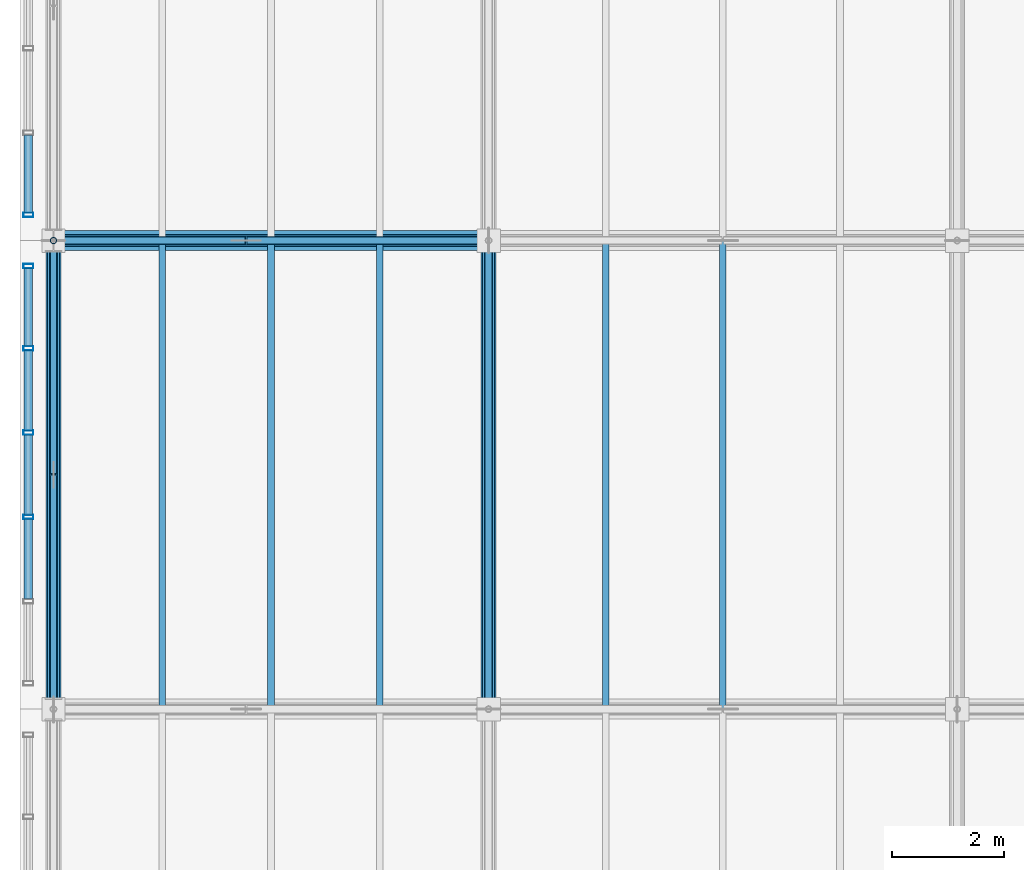
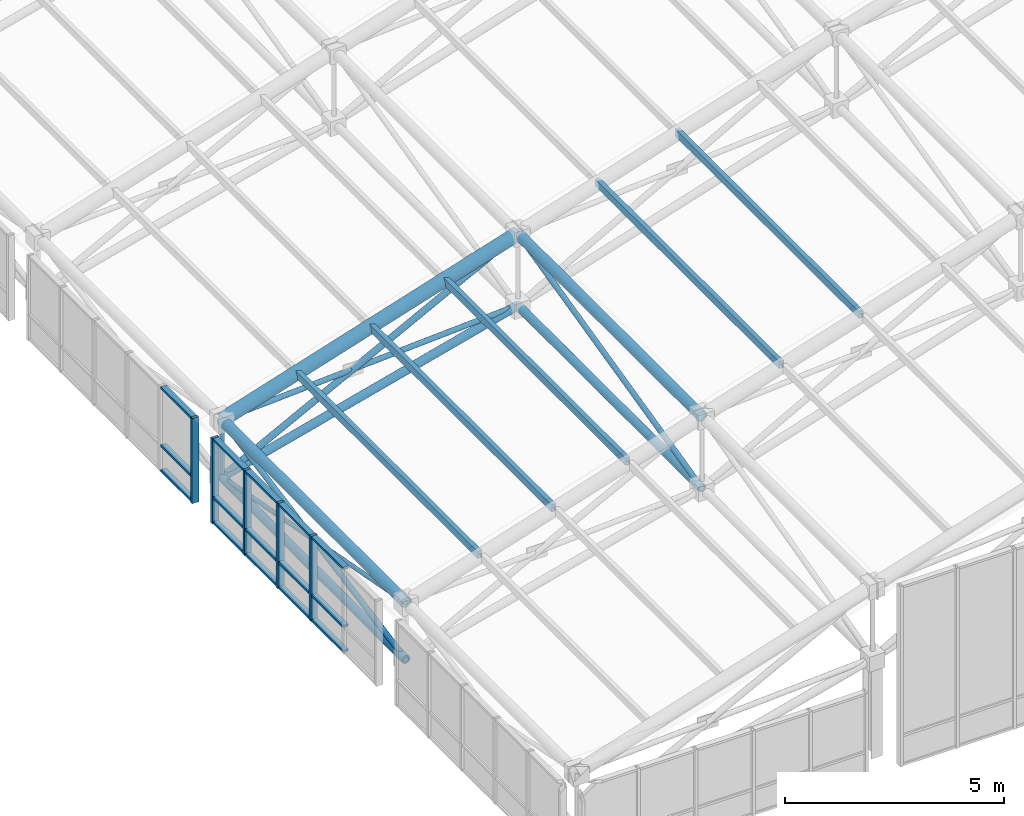
# One storey, part 31 of 144: 39 members, 2 elements without a shape of their own.
"""IFC4 building model written with IfcOpenShell, lengths in metres."""

from ifc_helpers import new_model, si_unit, direction, frame, origin, origin_2d, place, context, subcontext, project, spatial, hollow_rectangle, hollow_circle, extrude, material, layer, layer_set, material_profile, profile_set, type_object, element, aggregate, save


model = new_model("IFC4")

# Units and contexts
model_context = context("Model", 3, precision=1e-05, world=origin(), true_north=direction((0.0, 1.0)))
body_context = subcontext(model_context, "Body", "Model", "MODEL_VIEW")
ifc_project = project(units=[si_unit("LENGTHUNIT", "METRE"), si_unit("AREAUNIT", "SQUARE_METRE"), si_unit("VOLUMEUNIT", "CUBIC_METRE"), si_unit("PLANEANGLEUNIT", "RADIAN"), si_unit("MASSUNIT", "GRAM", prefix="KILO")], contexts=[model_context])

# Site, building, storey
site_placement = place(None, origin())
site = spatial("IfcSite", under=ifc_project, at=site_placement, CompositionType="ELEMENT")
building_placement = place(site_placement, origin())
building = spatial("IfcBuilding", under=site, at=building_placement, Name="Zayran Congress Hotel", CompositionType="ELEMENT")
storey_placement = place(building_placement, frame((0.0, 0.0, 19.199951171875)))
storey = spatial("IfcBuildingStorey", under=building, at=storey_placement, Name="L04", CompositionType="ELEMENT", Elevation=19.199951171875)

# Members
ifc_material_1 = material(Name="Steel S355", Category="steel")
ifc_material_profile_1 = material_profile(ifc_material_1, hollow_circle(Radius=0.177734375, WallThickness=0.01611328125, at=origin_2d()), Name="CHS 355.6x16")
ifc_profile_set_1 = profile_set([ifc_material_profile_1], Name="Steel S355")
member_type_1 = type_object("IfcMemberType", Name="TP-SF-TC1", PredefinedType="CHORD", material=ifc_profile_set_1)
member_1_placement = place(storey_placement, frame((9.0, 84.39990234375, 2.19140625), z_axis=(0.953669693314, 0.0, 0.300855639892), x_axis=(0.0, 1.0, 0.0)))
element("IfcMember", 1, at=member_1_placement, inside=storey, type_object=member_type_1, Name="Space Frame Top Chord X 19", PredefinedType="CHORD", context=body_context, shape_type="SweptSolid", body=[
    extrude(hollow_circle(Radius=0.177734375, WallThickness=0.01611328125, at=origin_2d()), origin(), (0.0, 0.0, 1.0), 8.178955078125),
])
ifc_material_profile_2 = material_profile(ifc_material_1, hollow_circle(Radius=0.136474609375, WallThickness=0.012451171875, at=origin_2d()), Name="CHS 273x12.5")
ifc_profile_set_2 = profile_set([ifc_material_profile_2], Name="Steel S355")
member_type_2 = type_object("IfcMemberType", Name="TP-SF-TC2", PredefinedType="CHORD", material=ifc_profile_set_2)
for number, where, z_axis, x_axis, name in (
    (2, (9.0, 76.0, 2.19140625), (0.0, 1.0, 0.0), (-1.0, 0.0, 0.0), "Space Frame Top Chord Y 14"),
    (3, (16.800048828125, 76.0, 4.652099609375), (0.0, 1.0, 0.0), (-1.0, 0.0, 0.0), "Space Frame Top Chord Y 72"),
):
    element("IfcMember", number, at=place(storey_placement, frame(where, z_axis=z_axis, x_axis=x_axis)), inside=storey, type_object=member_type_2, Name=name, PredefinedType="CHORD", context=body_context, shape_type="SweptSolid", body=[
        extrude(hollow_circle(Radius=0.136474609375, WallThickness=0.012451171875, at=origin_2d()), origin(), (0.0, 0.0, 1.0), 8.39990234375),
    ])
ifc_material_profile_3 = material_profile(ifc_material_1, hollow_circle(Radius=0.109619140625, WallThickness=0.010009765625, at=origin_2d()), Name="CHS 219.1x10")
ifc_profile_set_3 = profile_set([ifc_material_profile_3], Name="Steel S355")
member_type_3 = type_object("IfcMemberType", Name="TP-SF-BC1", PredefinedType="CHORD", material=ifc_profile_set_3)
member_2_placement = place(storey_placement, frame((9.0, 76.0, 0.60009765625), z_axis=(0.0, 1.0, 0.0), x_axis=(-1.0, 0.0, 0.0)))
element("IfcMember", 4, at=member_2_placement, inside=storey, type_object=member_type_3, Name="Space Frame Bottom Chord Y 15", PredefinedType="CHORD", context=body_context, shape_type="SweptSolid", body=[
    extrude(hollow_circle(Radius=0.109619140625, WallThickness=0.010009765625, at=origin_2d()), origin(), (0.0, 0.0, 1.0), 8.39990234375),
])
member_3_placement = place(storey_placement, frame((9.0, 84.39990234375, 0.60009765625), z_axis=(0.967153699015, 0.0, 0.254192294301), x_axis=(0.0, 1.0, 0.0)))
element("IfcMember", 5, at=member_3_placement, inside=storey, type_object=member_type_3, Name="Space Frame Bottom Chord X 20", PredefinedType="CHORD", context=body_context, shape_type="SweptSolid", body=[
    extrude(hollow_circle(Radius=0.109619140625, WallThickness=0.010009765625, at=origin_2d()), origin(), (0.0, 0.0, 1.0), 8.06494140625),
])
member_4_placement = place(storey_placement, frame((16.800048828125, 76.0, 2.650146484375), z_axis=(0.0, 1.0, 0.0), x_axis=(-1.0, 0.0, 0.0)))
element("IfcMember", 6, at=member_4_placement, inside=storey, type_object=member_type_3, Name="Space Frame Bottom Chord Y 73", PredefinedType="CHORD", context=body_context, shape_type="SweptSolid", body=[
    extrude(hollow_circle(Radius=0.109619140625, WallThickness=0.010009765625, at=origin_2d()), origin(), (0.0, 0.0, 1.0), 8.39990234375),
])
ifc_material_profile_4 = material_profile(ifc_material_1, hollow_circle(Radius=0.084228515625, WallThickness=0.008056640625, at=origin_2d()), Name="CHS 168.3x8")
ifc_profile_set_4 = profile_set([ifc_material_profile_4], Name="Steel S355")
member_type_4 = type_object("IfcMemberType", Name="TP-SF-DG1", PredefinedType="BRACE", material=ifc_profile_set_4)
member_5_placement = place(storey_placement, frame((9.0, 84.39990234375, 0.60009765625), z_axis=(0.887404091239, 0.0, 0.46099238481), x_axis=(0.0, 1.0, 0.0)))
element("IfcMember", 7, at=member_5_placement, inside=storey, type_object=member_type_4, Name="Space Frame Web Diagonal X 21", PredefinedType="BRACE", context=body_context, shape_type="SweptSolid", body=[
    extrude(hollow_circle(Radius=0.084228515625, WallThickness=0.008056640625, at=origin_2d()), origin(), (0.0, 0.0, 1.0), 8.789794921875),
])
ifc_material_profile_5 = material_profile(ifc_material_1, hollow_circle(Radius=0.06982421875, WallThickness=0.00634765625, at=origin_2d()), Name="CHS 139.7x6.3")
ifc_profile_set_5 = profile_set([ifc_material_profile_5], Name="Steel S355")
member_type_5 = type_object("IfcMemberType", Name="TP-SF-DG2", PredefinedType="BRACE", material=ifc_profile_set_5)
member_6_placement = place(storey_placement, frame((9.0, 76.0, 0.60009765625), z_axis=(0.0, 0.982524541302, 0.186133086096), x_axis=(-1.0, 0.0, 0.0)))
element("IfcMember", 8, at=member_6_placement, inside=storey, type_object=member_type_5, Name="Space Frame Web Diagonal Y 16", PredefinedType="BRACE", context=body_context, shape_type="SweptSolid", body=[
    extrude(hollow_circle(Radius=0.06982421875, WallThickness=0.00634765625, at=origin_2d()), origin(), (0.0, 0.0, 1.0), 8.54931640625),
])
member_7_placement = place(storey_placement, frame((9.0, 84.39990234375, 2.19140625), z_axis=(0.998277060117, 0.0, 0.0586763261), x_axis=(0.0, 1.0, 0.0)))
element("IfcMember", 9, at=member_7_placement, inside=storey, type_object=member_type_5, Name="Space Frame Counter Diagonal X Upper 22", PredefinedType="BRACE", context=body_context, shape_type="SweptSolid", body=[
    extrude(hollow_circle(Radius=0.06982421875, WallThickness=0.00634765625, at=origin_2d()), origin(), (0.0, 0.0, 1.0), 3.445068359375),
])
member_8_placement = place(storey_placement, frame((12.46923828125, 84.39990234375, 2.395263671875), z_axis=(0.99827262625, 0.0, 0.058751712149), x_axis=(0.0, 1.0, 0.0)))
element("IfcMember", 10, at=member_8_placement, inside=storey, type_object=member_type_5, Name="Space Frame Counter Diagonal X Lower 5", PredefinedType="BRACE", context=body_context, shape_type="SweptSolid", body=[
    extrude(hollow_circle(Radius=0.06982421875, WallThickness=0.00634765625, at=origin_2d()), origin(), (0.0, 0.0, 1.0), 4.33837890625),
])
member_9_placement = place(storey_placement, frame((16.800048828125, 76.0, 2.650146484375), z_axis=(0.0, 0.97275461998, 0.231837118056), x_axis=(-1.0, 0.0, 0.0)))
element("IfcMember", 11, at=member_9_placement, inside=storey, type_object=member_type_5, Name="Space Frame Web Diagonal Y 74", PredefinedType="BRACE", context=body_context, shape_type="SweptSolid", body=[
    extrude(hollow_circle(Radius=0.06982421875, WallThickness=0.00634765625, at=origin_2d()), origin(), (0.0, 0.0, 1.0), 8.63525390625),
])
ifc_material_profile_6 = material_profile(ifc_material_1, hollow_circle(Radius=0.05712890625, WallThickness=0.00634765625, at=origin_2d()), Name="CHS 114.3x6.3")
ifc_profile_set_6 = profile_set([ifc_material_profile_6], Name="Steel S355")
member_type_6 = type_object("IfcMemberType", Name="TP-SF-DG3", PredefinedType="BRACE", material=ifc_profile_set_6)
for number, where, z_axis, x_axis, name in (
    (12, (9.0, 76.0, 2.19140625), (0.0, 0.982520698357, -0.186153370371), (-1.0, 0.0, 0.0), "Space Frame Bracing Diagonal Y Upper 17"),
    (13, (9.0, 80.214599609375, 1.39306640625), (0.0, 0.982520698357, -0.186153370371), (-1.0, 0.0, 0.0), "Space Frame Bracing Diagonal Y Lower 4"),
):
    element("IfcMember", number, at=place(storey_placement, frame(where, z_axis=z_axis, x_axis=x_axis)), inside=storey, type_object=member_type_6, Name=name, PredefinedType="BRACE", context=body_context, shape_type="SweptSolid", body=[
        extrude(hollow_circle(Radius=0.05712890625, WallThickness=0.00634765625, at=origin_2d()), origin(), (0.0, 0.0, 1.0), 4.259765625),
    ])
member_10_placement = place(storey_placement, frame((9.0, 84.39990234375, 0.60009765625), z_axis=(0.0, 0.0, 1.0), x_axis=(0.0, 1.0, 0.0)))
element("IfcMember", 14, at=member_10_placement, inside=storey, type_object=member_type_6, Name="Space Frame Web Strut 27", PredefinedType="BRACE", context=body_context, shape_type="SweptSolid", body=[
    extrude(hollow_circle(Radius=0.05712890625, WallThickness=0.00634765625, at=origin_2d()), origin(), (0.0, 0.0, 1.0), 1.59130859375),
])
ifc_material_profile_7 = material_profile(ifc_material_1, hollow_rectangle(XDim=0.1201171875, YDim=0.199951171875, WallThickness=0.008056640625, at=origin_2d()), Name="RHS 200x120x8")
ifc_profile_set_7 = profile_set([ifc_material_profile_7], Name="Steel S355")
member_type_7 = type_object("IfcMemberType", Name="TP-PR-01", PredefinedType="PURLIN", material=ifc_profile_set_7)
for number, where, z_axis, x_axis, name in (
    (15, (10.949951171875, 76.0, 2.8486328125), (0.0, 1.0, 0.0), (-1.0, 0.0, 0.0), "MEM-PR-V1-0002"),
    (16, (12.89990234375, 76.0, 3.4638671875), (0.0, 1.0, 0.0), (-1.0, 0.0, 0.0), "MEM-PR-V1-0008"),
    (17, (14.85009765625, 76.0, 4.078857421875), (0.0, 1.0, 0.0), (-1.0, 0.0, 0.0), "MEM-PR-V1-0014"),
    (18, (18.89990234375, 76.0, 5.3564453125), (0.0, 1.0, 0.0), (-1.0, 0.0, 0.0), "MEM-PR-V1-0020"),
    (19, (21.0, 76.0, 6.01904296875), (0.0, 1.0, 0.0), (-1.0, 0.0, 0.0), "MEM-PR-V1-0026"),
):
    element("IfcMember", number, at=place(storey_placement, frame(where, z_axis=z_axis, x_axis=x_axis)), inside=storey, type_object=member_type_7, Name=name, PredefinedType="PURLIN", context=body_context, shape_type="SweptSolid", body=[
        extrude(hollow_rectangle(XDim=0.1201171875, YDim=0.199951171875, WallThickness=0.008056640625, at=origin_2d()), origin(), (0.0, 0.0, 1.0), 8.39990234375),
    ])

# Curtain wall, members
ifc_material_2 = material(Name="Anodised aluminium and low-E insulated glass", Category="aluminium")
ifc_layer = layer(ifc_material_2, 0.179931640625)
ifc_layer_set = layer_set([ifc_layer], Name="Anodised aluminium and low-E insulated glass")
curtain_wall_type = type_object("IfcCurtainWallType", Name="CW-V1CL-L04-CW-31-7560-2370", PredefinedType="USERDEFINED", material=ifc_layer_set)
curtain_wall_1_placement = place(storey_placement, origin())
curtain_wall_1 = element("IfcCurtainWall", 20, at=curtain_wall_1_placement, inside=storey, type_object=curtain_wall_type, Name="CW-V1CLW-1", ObjectType="CURTAIN WALL", PredefinedType="USERDEFINED")
ifc_material_3 = material(Name="Anodised aluminium framing", Category="aluminium")
ifc_material_profile_8 = material_profile(ifc_material_3, hollow_rectangle(XDim=0.080078125, YDim=0.179931640625, WallThickness=0.0048828125, at=origin_2d()), Name="RHS 180x80x5")
ifc_profile_set_8 = profile_set([ifc_material_profile_8], Name="Anodised aluminium framing")
member_type_8 = type_object("IfcMemberType", Name="TP-CWM-01", PredefinedType="MULLION", material=ifc_profile_set_8)
member_11_placement = place(storey_placement, frame((8.550048828125, 83.93994140625, -0.219970703125), z_axis=(0.0, 0.0, 1.0), x_axis=(0.0, 1.0, 0.0)))
member_11 = element("IfcMember", 21, at=member_11_placement, type_object=member_type_8, Name="CW-V1CLW-1-M00", PredefinedType="MULLION", context=body_context, shape_type="SweptSolid", body=[
    extrude(hollow_rectangle(XDim=0.080078125, YDim=0.179931640625, WallThickness=0.0048828125, at=origin_2d()), origin(), (0.0, 0.0, 1.0), 2.3701171875),
])
member_12_placement = place(storey_placement, frame((8.550048828125, 82.468017578125, -0.219970703125), z_axis=(0.0, 0.0, 1.0), x_axis=(0.0, 1.0, 0.0)))
member_12 = element("IfcMember", 22, at=member_12_placement, type_object=member_type_8, Name="CW-V1CLW-1-M01", PredefinedType="MULLION", context=body_context, shape_type="SweptSolid", body=[
    extrude(hollow_rectangle(XDim=0.080078125, YDim=0.179931640625, WallThickness=0.0048828125, at=origin_2d()), origin(), (0.0, 0.0, 1.0), 2.3701171875),
])
member_13_placement = place(storey_placement, frame((8.550048828125, 80.9560546875, -0.219970703125), z_axis=(0.0, 0.0, 1.0), x_axis=(0.0, 1.0, 0.0)))
member_13 = element("IfcMember", 23, at=member_13_placement, type_object=member_type_8, Name="CW-V1CLW-1-M02", PredefinedType="MULLION", context=body_context, shape_type="SweptSolid", body=[
    extrude(hollow_rectangle(XDim=0.080078125, YDim=0.179931640625, WallThickness=0.0048828125, at=origin_2d()), origin(), (0.0, 0.0, 1.0), 2.3701171875),
])
member_14_placement = place(storey_placement, frame((8.550048828125, 79.444091796875, -0.219970703125), z_axis=(0.0, 0.0, 1.0), x_axis=(0.0, 1.0, 0.0)))
member_14 = element("IfcMember", 24, at=member_14_placement, type_object=member_type_8, Name="CW-V1CLW-1-M03", PredefinedType="MULLION", context=body_context, shape_type="SweptSolid", body=[
    extrude(hollow_rectangle(XDim=0.080078125, YDim=0.179931640625, WallThickness=0.0048828125, at=origin_2d()), origin(), (0.0, 0.0, 1.0), 2.3701171875),
])

# Curtain wall, member
curtain_wall_2_placement = place(storey_placement, origin())
curtain_wall_2 = element("IfcCurtainWall", 25, at=curtain_wall_2_placement, inside=storey, type_object=curtain_wall_type, Name="CW-V1CLW-2", ObjectType="CURTAIN WALL", PredefinedType="USERDEFINED")
member_15_placement = place(storey_placement, frame((8.550048828125, 84.860107421875, -0.219970703125), z_axis=(0.0, 0.0, 1.0), x_axis=(0.0, 1.0, 0.0)))
member_15 = element("IfcMember", 26, at=member_15_placement, type_object=member_type_8, Name="CW-V1CLW-2-M05", PredefinedType="MULLION", context=body_context, shape_type="SweptSolid", body=[
    extrude(hollow_rectangle(XDim=0.080078125, YDim=0.179931640625, WallThickness=0.0048828125, at=origin_2d()), origin(), (0.0, 0.0, 1.0), 2.3701171875),
])

# Member
ifc_material_profile_9 = material_profile(ifc_material_3, hollow_rectangle(XDim=0.06005859375, YDim=0.14990234375, WallThickness=0.00390625, at=origin_2d()), Name="RHS 150x60x4")
ifc_profile_set_9 = profile_set([ifc_material_profile_9], Name="Anodised aluminium framing")
member_type_9 = type_object("IfcMemberType", Name="TP-CWT-01", PredefinedType="USERDEFINED", material=ifc_profile_set_9)
member_16_placement = place(storey_placement, frame((8.550048828125, 83.89990234375, -0.18994140625), z_axis=(0.0, -1.0, 0.0), x_axis=(0.0, 0.0, 1.0)))
member_16 = element("IfcMember", 27, at=member_16_placement, type_object=member_type_9, Name="CW-V1CLW-1-T00-0", ObjectType="TRANSOM", PredefinedType="USERDEFINED", context=body_context, shape_type="SweptSolid", body=[
    extrude(hollow_rectangle(XDim=0.06005859375, YDim=0.14990234375, WallThickness=0.00390625, at=origin_2d()), origin(), (0.0, 0.0, 1.0), 1.391845703125),
])

member_17_placement = place(storey_placement, frame((8.550048828125, 83.89990234375, 0.5), z_axis=(0.0, -1.0, 0.0), x_axis=(0.0, 0.0, 1.0)))
member_17 = element("IfcMember", 28, at=member_17_placement, type_object=member_type_9, Name="CW-V1CLW-1-T00-1", ObjectType="TRANSOM", PredefinedType="USERDEFINED", context=body_context, shape_type="SweptSolid", body=[
    extrude(hollow_rectangle(XDim=0.06005859375, YDim=0.14990234375, WallThickness=0.00390625, at=origin_2d()), origin(), (0.0, 0.0, 1.0), 1.391845703125),
])

member_18_placement = place(storey_placement, frame((8.550048828125, 83.89990234375, 2.1201171875), z_axis=(0.0, -1.0, 0.0), x_axis=(0.0, 0.0, 1.0)))
member_18 = element("IfcMember", 29, at=member_18_placement, type_object=member_type_9, Name="CW-V1CLW-1-T00-2", ObjectType="TRANSOM", PredefinedType="USERDEFINED", context=body_context, shape_type="SweptSolid", body=[
    extrude(hollow_rectangle(XDim=0.06005859375, YDim=0.14990234375, WallThickness=0.00390625, at=origin_2d()), origin(), (0.0, 0.0, 1.0), 1.391845703125),
])

member_19_placement = place(storey_placement, frame((8.550048828125, 82.427978515625, -0.18994140625), z_axis=(0.0, -1.0, 0.0), x_axis=(0.0, 0.0, 1.0)))
member_19 = element("IfcMember", 30, at=member_19_placement, type_object=member_type_9, Name="CW-V1CLW-1-T01-0", ObjectType="TRANSOM", PredefinedType="USERDEFINED", context=body_context, shape_type="SweptSolid", body=[
    extrude(hollow_rectangle(XDim=0.06005859375, YDim=0.14990234375, WallThickness=0.00390625, at=origin_2d()), origin(), (0.0, 0.0, 1.0), 1.431884765625),
])

member_20_placement = place(storey_placement, frame((8.550048828125, 82.427978515625, 0.5), z_axis=(0.0, -1.0, 0.0), x_axis=(0.0, 0.0, 1.0)))
member_20 = element("IfcMember", 31, at=member_20_placement, type_object=member_type_9, Name="CW-V1CLW-1-T01-1", ObjectType="TRANSOM", PredefinedType="USERDEFINED", context=body_context, shape_type="SweptSolid", body=[
    extrude(hollow_rectangle(XDim=0.06005859375, YDim=0.14990234375, WallThickness=0.00390625, at=origin_2d()), origin(), (0.0, 0.0, 1.0), 1.431884765625),
])

member_21_placement = place(storey_placement, frame((8.550048828125, 82.427978515625, 2.1201171875), z_axis=(0.0, -1.0, 0.0), x_axis=(0.0, 0.0, 1.0)))
member_21 = element("IfcMember", 32, at=member_21_placement, type_object=member_type_9, Name="CW-V1CLW-1-T01-2", ObjectType="TRANSOM", PredefinedType="USERDEFINED", context=body_context, shape_type="SweptSolid", body=[
    extrude(hollow_rectangle(XDim=0.06005859375, YDim=0.14990234375, WallThickness=0.00390625, at=origin_2d()), origin(), (0.0, 0.0, 1.0), 1.431884765625),
])

member_22_placement = place(storey_placement, frame((8.550048828125, 80.916015625, -0.18994140625), z_axis=(0.0, -1.0, 0.0), x_axis=(0.0, 0.0, 1.0)))
member_22 = element("IfcMember", 33, at=member_22_placement, type_object=member_type_9, Name="CW-V1CLW-1-T02-0", ObjectType="TRANSOM", PredefinedType="USERDEFINED", context=body_context, shape_type="SweptSolid", body=[
    extrude(hollow_rectangle(XDim=0.06005859375, YDim=0.14990234375, WallThickness=0.00390625, at=origin_2d()), origin(), (0.0, 0.0, 1.0), 1.43212890625),
])

member_23_placement = place(storey_placement, frame((8.550048828125, 80.916015625, 0.5), z_axis=(0.0, -1.0, 0.0), x_axis=(0.0, 0.0, 1.0)))
member_23 = element("IfcMember", 34, at=member_23_placement, type_object=member_type_9, Name="CW-V1CLW-1-T02-1", ObjectType="TRANSOM", PredefinedType="USERDEFINED", context=body_context, shape_type="SweptSolid", body=[
    extrude(hollow_rectangle(XDim=0.06005859375, YDim=0.14990234375, WallThickness=0.00390625, at=origin_2d()), origin(), (0.0, 0.0, 1.0), 1.43212890625),
])

member_24_placement = place(storey_placement, frame((8.550048828125, 80.916015625, 2.1201171875), z_axis=(0.0, -1.0, 0.0), x_axis=(0.0, 0.0, 1.0)))
member_24 = element("IfcMember", 35, at=member_24_placement, type_object=member_type_9, Name="CW-V1CLW-1-T02-2", ObjectType="TRANSOM", PredefinedType="USERDEFINED", context=body_context, shape_type="SweptSolid", body=[
    extrude(hollow_rectangle(XDim=0.06005859375, YDim=0.14990234375, WallThickness=0.00390625, at=origin_2d()), origin(), (0.0, 0.0, 1.0), 1.43212890625),
])

member_25_placement = place(storey_placement, frame((8.550048828125, 79.404052734375, -0.18994140625), z_axis=(0.0, -1.0, 0.0), x_axis=(0.0, 0.0, 1.0)))
member_25 = element("IfcMember", 36, at=member_25_placement, type_object=member_type_9, Name="CW-V1CLW-1-T03-0", ObjectType="TRANSOM", PredefinedType="USERDEFINED", context=body_context, shape_type="SweptSolid", body=[
    extrude(hollow_rectangle(XDim=0.06005859375, YDim=0.14990234375, WallThickness=0.00390625, at=origin_2d()), origin(), (0.0, 0.0, 1.0), 1.43212890625),
])

member_26_placement = place(storey_placement, frame((8.550048828125, 79.404052734375, 0.5), z_axis=(0.0, -1.0, 0.0), x_axis=(0.0, 0.0, 1.0)))
member_26 = element("IfcMember", 37, at=member_26_placement, type_object=member_type_9, Name="CW-V1CLW-1-T03-1", ObjectType="TRANSOM", PredefinedType="USERDEFINED", context=body_context, shape_type="SweptSolid", body=[
    extrude(hollow_rectangle(XDim=0.06005859375, YDim=0.14990234375, WallThickness=0.00390625, at=origin_2d()), origin(), (0.0, 0.0, 1.0), 1.43212890625),
])

member_27_placement = place(storey_placement, frame((8.550048828125, 79.404052734375, 2.1201171875), z_axis=(0.0, -1.0, 0.0), x_axis=(0.0, 0.0, 1.0)))
member_27 = element("IfcMember", 38, at=member_27_placement, type_object=member_type_9, Name="CW-V1CLW-1-T03-2", ObjectType="TRANSOM", PredefinedType="USERDEFINED", context=body_context, shape_type="SweptSolid", body=[
    extrude(hollow_rectangle(XDim=0.06005859375, YDim=0.14990234375, WallThickness=0.00390625, at=origin_2d()), origin(), (0.0, 0.0, 1.0), 1.43212890625),
])

aggregate(curtain_wall_1, [member_11, member_12, member_13, member_14, member_16, member_17, member_18, member_19, member_20, member_21, member_22, member_23, member_24, member_25, member_26, member_27])

member_28_placement = place(storey_placement, frame((8.550048828125, 86.2919921875, -0.18994140625), z_axis=(0.0, -1.0, 0.0), x_axis=(0.0, 0.0, 1.0)))
member_28 = element("IfcMember", 39, at=member_28_placement, type_object=member_type_9, Name="CW-V1CLW-2-T04-0", ObjectType="TRANSOM", PredefinedType="USERDEFINED", context=body_context, shape_type="SweptSolid", body=[
    extrude(hollow_rectangle(XDim=0.06005859375, YDim=0.14990234375, WallThickness=0.00390625, at=origin_2d()), origin(), (0.0, 0.0, 1.0), 1.39208984375),
])

member_29_placement = place(storey_placement, frame((8.550048828125, 86.2919921875, 0.5), z_axis=(0.0, -1.0, 0.0), x_axis=(0.0, 0.0, 1.0)))
member_29 = element("IfcMember", 40, at=member_29_placement, type_object=member_type_9, Name="CW-V1CLW-2-T04-1", ObjectType="TRANSOM", PredefinedType="USERDEFINED", context=body_context, shape_type="SweptSolid", body=[
    extrude(hollow_rectangle(XDim=0.06005859375, YDim=0.14990234375, WallThickness=0.00390625, at=origin_2d()), origin(), (0.0, 0.0, 1.0), 1.39208984375),
])

member_30_placement = place(storey_placement, frame((8.550048828125, 86.2919921875, 2.1201171875), z_axis=(0.0, -1.0, 0.0), x_axis=(0.0, 0.0, 1.0)))
member_30 = element("IfcMember", 41, at=member_30_placement, type_object=member_type_9, Name="CW-V1CLW-2-T04-2", ObjectType="TRANSOM", PredefinedType="USERDEFINED", context=body_context, shape_type="SweptSolid", body=[
    extrude(hollow_rectangle(XDim=0.06005859375, YDim=0.14990234375, WallThickness=0.00390625, at=origin_2d()), origin(), (0.0, 0.0, 1.0), 1.39208984375),
])

aggregate(curtain_wall_2, [member_15, member_28, member_29, member_30])

save(model, "model.ifc")
